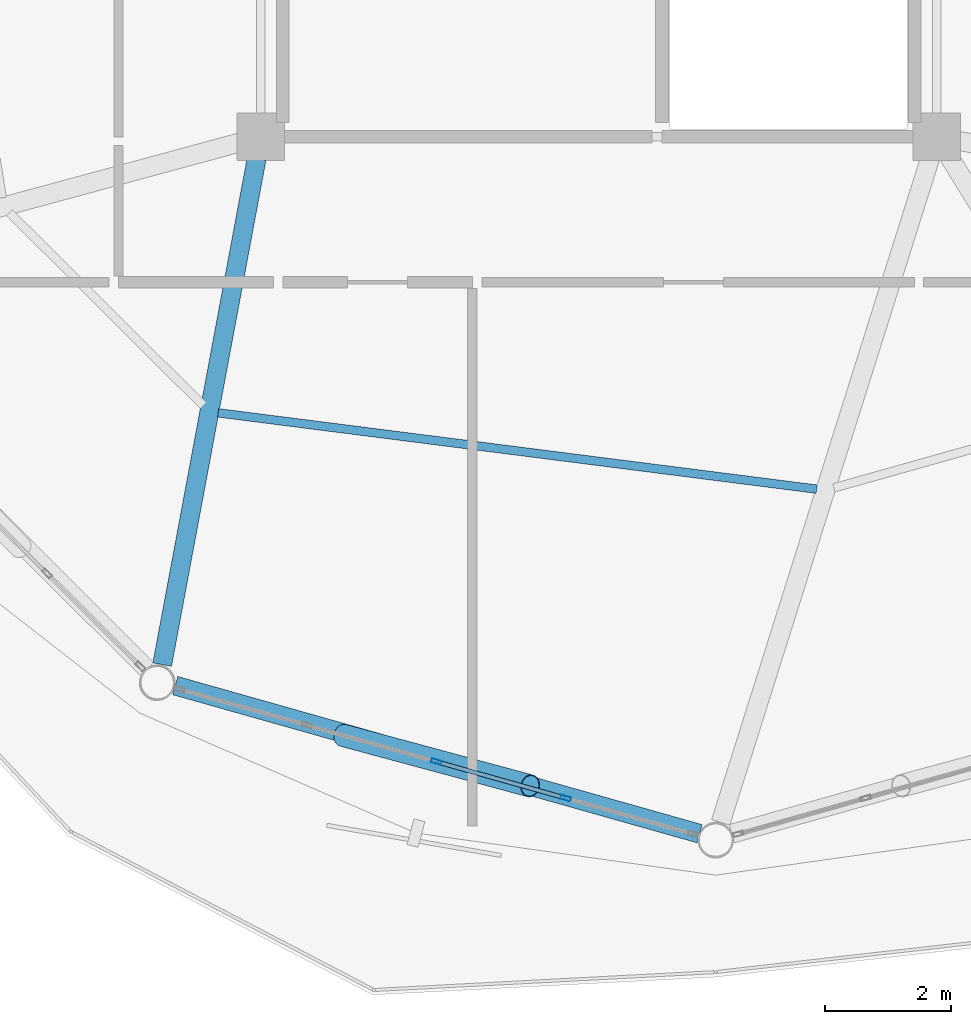
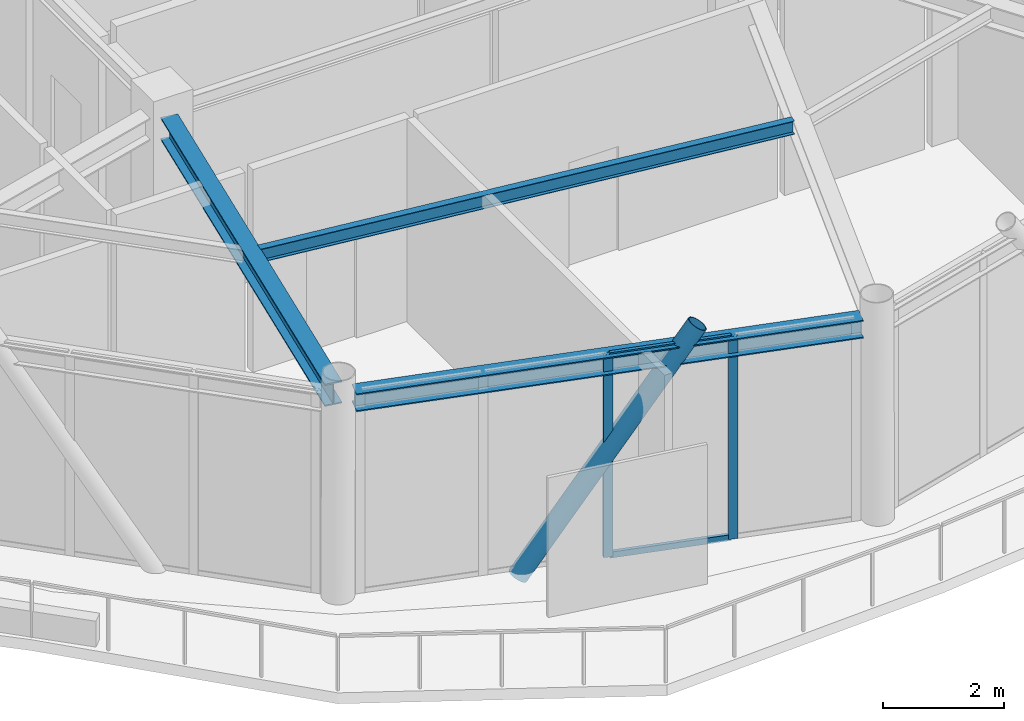
# One storey, part 3 of 24: 5 members, 3 beams, 1 element without a shape of its own.
"""IFC4 building model written with IfcOpenShell, lengths in metres."""

from ifc_helpers import new_model, si_unit, direction, frame, origin, origin_2d, place, context, subcontext, project, spatial, hollow_rectangle, hollow_circle, i_section, extrude, material, layer, layer_set, material_profile, profile_set, type_object, element, aggregate, save


model = new_model("IFC4")

# Units and contexts
model_context = context("Model", 3, precision=1e-05, world=origin(), true_north=direction((0.0, 1.0)))
body_context = subcontext(model_context, "Body", "Model", "MODEL_VIEW")
ifc_project = project(units=[si_unit("LENGTHUNIT", "METRE"), si_unit("AREAUNIT", "SQUARE_METRE"), si_unit("VOLUMEUNIT", "CUBIC_METRE"), si_unit("PLANEANGLEUNIT", "RADIAN"), si_unit("MASSUNIT", "GRAM", prefix="KILO")], contexts=[model_context])

# Site, building, storey
site_placement = place(None, origin())
site = spatial("IfcSite", under=ifc_project, at=site_placement, CompositionType="ELEMENT")
building_placement = place(site_placement, origin())
building = spatial("IfcBuilding", under=site, at=building_placement, Name="Varnakorn Sky Granary", CompositionType="ELEMENT")
storey_placement = place(building_placement, frame((0.0, 0.0, 285.0)))
storey = spatial("IfcBuildingStorey", under=building, at=storey_placement, Name="L73", CompositionType="ELEMENT", Elevation=285.0)

# Beams
ifc_material_1 = material(Name="Steel S355JR", Category="steel")
ifc_material_profile_1 = material_profile(ifc_material_1, i_section(OverallWidth=0.300048828125, OverallDepth=0.449951171875, WebThickness=0.013916015625, FlangeThickness=0.02587890625, at=origin_2d()), Name="HE 450 B")
ifc_profile_set_1 = profile_set([ifc_material_profile_1], Name="Steel S355JR")
beam_type_1 = type_object("IfcBeamType", Name="BM-RAD-Z5", PredefinedType="BEAM", material=ifc_profile_set_1)
beam_1_placement = place(storey_placement, frame((-2.4150390625, -6.948974609375, 3.85498046875), z_axis=(-0.183504454574, -0.983018878329, 0.0), x_axis=(0.983018878329, -0.183504454574, 0.0)))
element("IfcBeam", 1, at=beam_1_placement, inside=storey, type_object=beam_type_1, Name="Radial Floor Girder RG09 L73", PredefinedType="BEAM", context=body_context, shape_type="SweptSolid", body=[
    extrude(i_section(OverallWidth=0.300048828125, OverallDepth=0.449951171875, WebThickness=0.013916015625, FlangeThickness=0.02587890625, at=origin_2d()), origin(), (0.0, 0.0, 1.0), 8.140869140625),
])
ifc_material_profile_2 = material_profile(ifc_material_1, i_section(OverallWidth=0.135009765625, OverallDepth=0.27001953125, WebThickness=0.006591796875, FlangeThickness=0.01025390625, at=origin_2d()), Name="IPE 270")
ifc_profile_set_2 = profile_set([ifc_material_profile_2], Name="Steel S355JR")
beam_type_2 = type_object("IfcBeamType", Name="BM-SEC-Z5", PredefinedType="BEAM", material=ifc_profile_set_2)
beam_2_placement = place(storey_placement, frame((-3.023193359375, -10.968017578125, 3.945068359375), z_axis=(0.991972794706, -0.126451471175, 0.0), x_axis=(0.126451471175, 0.991972794706, 0.0)))
element("IfcBeam", 2, at=beam_2_placement, inside=storey, type_object=beam_type_2, Name="Secondary Floor Chord Beam MSB09 L73", PredefinedType="BEAM", context=body_context, shape_type="SweptSolid", body=[
    extrude(i_section(OverallWidth=0.135009765625, OverallDepth=0.27001953125, WebThickness=0.006591796875, FlangeThickness=0.01025390625, at=origin_2d()), origin(), (0.0, 0.0, 1.0), 9.54736328125),
])
ifc_material_profile_3 = material_profile(ifc_material_1, i_section(OverallWidth=0.300048828125, OverallDepth=0.360107421875, WebThickness=0.012451171875, FlangeThickness=0.0224609375, at=origin_2d()), Name="HE 360 B")
ifc_profile_set_3 = profile_set([ifc_material_profile_3], Name="Steel S355JR")
beam_type_3 = type_object("IfcBeamType", Name="BM-SPD-Z5", PredefinedType="SPANDREL", material=ifc_profile_set_3)
beam_3_placement = place(storey_placement, frame((-3.702880859375, -15.28369140625, 3.89990234375), z_axis=(0.962330662172, -0.271881769604, 0.0), x_axis=(0.271881769604, 0.962330662172, 0.0)))
element("IfcBeam", 3, at=beam_3_placement, inside=storey, type_object=beam_type_3, Name="Perimeter Spandrel Ring Beam RB09 L73", PredefinedType="SPANDREL", context=body_context, shape_type="SweptSolid", body=[
    extrude(i_section(OverallWidth=0.300048828125, OverallDepth=0.360107421875, WebThickness=0.012451171875, FlangeThickness=0.0224609375, at=origin_2d()), origin(), (0.0, 0.0, 1.0), 8.623046875),
])

# Curtain wall, members
ifc_material_2 = material(Name="Anodised Bronze Aluminium Alloy 6063-T6", Category="aluminium")
ifc_layer = layer(ifc_material_2, 0.159912109375, Name="Anodised Bronze Aluminium Alloy 6063-T6")
ifc_layer_set = layer_set([ifc_layer], Name="Anodised Bronze Aluminium Alloy 6063-T6")
curtain_wall_type = type_object("IfcCurtainWallType", Name="CW-OFF-1", PredefinedType="USERDEFINED", material=ifc_layer_set)
curtain_wall_placement = place(storey_placement, origin())
curtain_wall = element("IfcCurtainWall", 4, at=curtain_wall_placement, inside=storey, type_object=curtain_wall_type, Name="Unitised Curtain Wall CW6 CW-L73-B09", ObjectType="CURTAIN WALL", PredefinedType="USERDEFINED")
ifc_material_profile_4 = material_profile(ifc_material_2, hollow_rectangle(XDim=0.06494140625, YDim=0.159912109375, WallThickness=0.00341796875, at=origin_2d()), Name="ALU MULL 65x160")
ifc_profile_set_4 = profile_set([ifc_material_profile_4], Name="Anodised Bronze Aluminium Alloy 6063-T6")
member_type_1 = type_object("IfcMemberType", Name="CW-OFF-1-MULL", PredefinedType="MULLION", material=ifc_profile_set_4)
member_1_placement = place(storey_placement, frame((2.476318359375, -17.064697265625, 0.0), z_axis=(0.0, 0.0, 1.0), x_axis=(-0.271372217369, -0.962474477397, 0.0)))
member_1 = element("IfcMember", 5, at=member_1_placement, type_object=member_type_1, Name="CW6 mullion 2", PredefinedType="MULLION", context=body_context, shape_type="SweptSolid", body=[
    extrude(hollow_rectangle(XDim=0.06494140625, YDim=0.159912109375, WallThickness=0.00341796875, at=origin_2d()), origin(), (0.0, 0.0, 1.0), 4.080078125),
])
member_2_placement = place(storey_placement, frame((0.42919921875, -16.487548828125, 0.0), z_axis=(0.0, 0.0, 1.0), x_axis=(-0.271372217369, -0.962474477397, 0.0)))
member_2 = element("IfcMember", 6, at=member_2_placement, type_object=member_type_1, Name="CW6 mullion 3", PredefinedType="MULLION", context=body_context, shape_type="SweptSolid", body=[
    extrude(hollow_rectangle(XDim=0.06494140625, YDim=0.159912109375, WallThickness=0.00341796875, at=origin_2d()), origin(), (0.0, 0.0, 1.0), 4.080078125),
])
ifc_material_profile_5 = material_profile(ifc_material_2, hollow_rectangle(XDim=0.06494140625, YDim=0.1201171875, WallThickness=0.00341796875, at=origin_2d()), Name="ALU TRAN 65x120")
ifc_profile_set_5 = profile_set([ifc_material_profile_5], Name="Anodised Bronze Aluminium Alloy 6063-T6")
member_type_2 = type_object("IfcMemberType", Name="CW-OFF-1-TRAN", PredefinedType="USERDEFINED", material=ifc_profile_set_5)
member_3_placement = place(storey_placement, frame((2.44482421875, -17.055908203125, 0.032470703125), z_axis=(-0.962465539742, 0.271403914504, 0.0), x_axis=(-0.271403914504, -0.962465539742, 0.0)))
member_3 = element("IfcMember", 7, at=member_3_placement, type_object=member_type_2, Name="CW6 transom 2.1", ObjectType="TRANSOM", PredefinedType="USERDEFINED", context=body_context, shape_type="SweptSolid", body=[
    extrude(hollow_rectangle(XDim=0.06494140625, YDim=0.1201171875, WallThickness=0.00341796875, at=origin_2d()), origin(), (0.0, 0.0, 1.0), 2.061767578125),
])
member_4_placement = place(storey_placement, frame((2.44482421875, -17.055908203125, 4.047607421875), z_axis=(-0.962465539742, 0.271403914504, 0.0), x_axis=(-0.271403914504, -0.962465539742, 0.0)))
member_4 = element("IfcMember", 8, at=member_4_placement, type_object=member_type_2, Name="CW6 transom 2.2", ObjectType="TRANSOM", PredefinedType="USERDEFINED", context=body_context, shape_type="SweptSolid", body=[
    extrude(hollow_rectangle(XDim=0.06494140625, YDim=0.1201171875, WallThickness=0.00341796875, at=origin_2d()), origin(), (0.0, 0.0, 1.0), 2.061767578125),
])
aggregate(curtain_wall, [member_1, member_2, member_3, member_4])

# Member
ifc_material_3 = material(Name="Steel S460M", Category="steel")
ifc_material_profile_6 = material_profile(ifc_material_3, hollow_circle(Radius=0.177734375, WallThickness=0.01416015625, at=origin_2d()), Name="CHS 355.6x14")
ifc_profile_set_6 = profile_set([ifc_material_profile_6], Name="Steel S460M")
member_type_3 = type_object("IfcMemberType", Name="MB-DIAG-T5", PredefinedType="BRACE", material=ifc_profile_set_6)
member_5_placement = place(storey_placement, frame((-1.044189453125, -16.072021484375, -0.1298828125), z_axis=(0.541783634141, -0.14624313148, 0.827697674439), x_axis=(0.260601990621, 0.965446322943, 0.0)))
element("IfcMember", 9, at=member_5_placement, inside=storey, type_object=member_type_3, Name="Perimeter CHS Diagrid Brace DG09 L73", PredefinedType="BRACE", context=body_context, shape_type="SweptSolid", body=[
    extrude(hollow_circle(Radius=0.177734375, WallThickness=0.01416015625, at=origin_2d()), origin(), (0.0, 0.0, 1.0), 5.460693359375),
])

save(model, "model.ifc")
